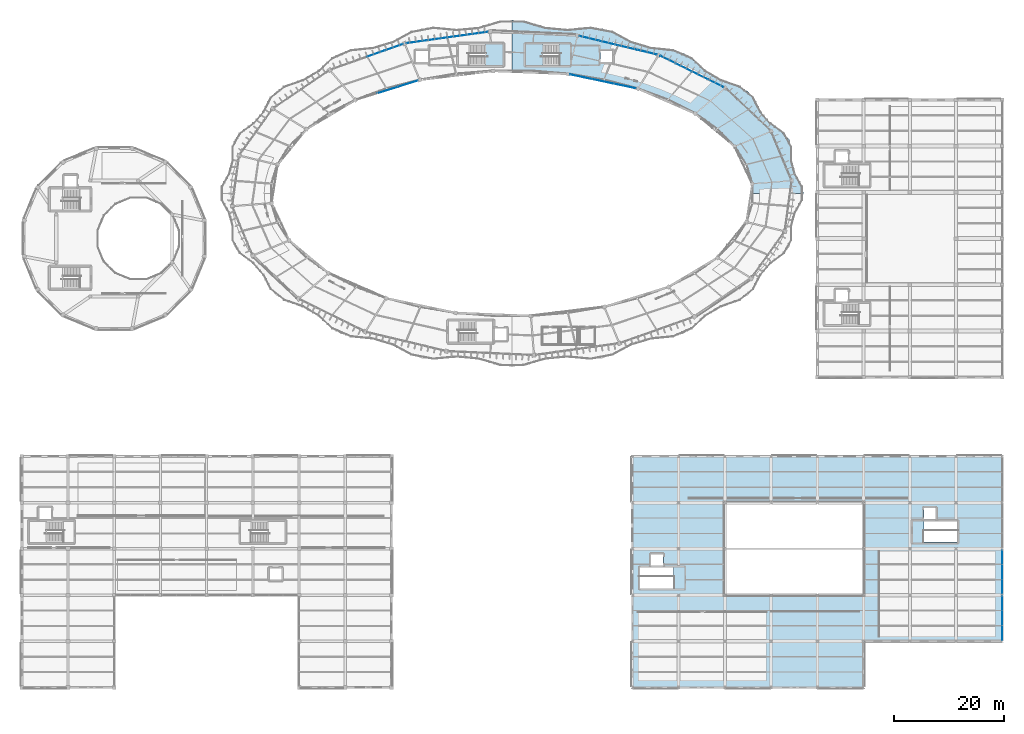
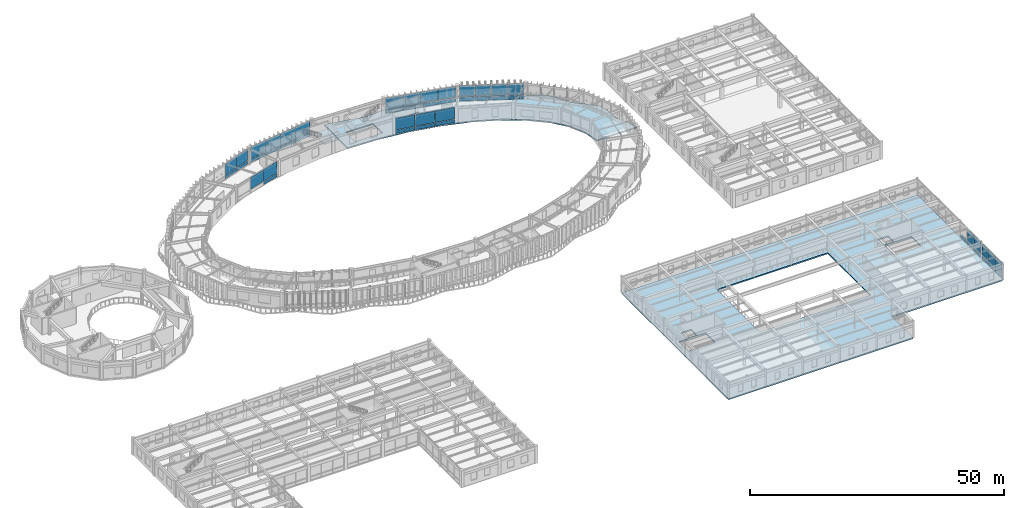
# One storey, part 106 of 138: 48 plates, 4 slabs, 10 elements without a shape of their own.
"""IFC4 building model written with IfcOpenShell, lengths in metres."""

from ifc_helpers import new_model, si_unit, direction, frame, origin, origin_2d, place, context, subcontext, project, spatial, polyline, rectangle, outline, extrude, material, layer, layer_set, type_object, element, aggregate, save


model = new_model("IFC4")

# Units and contexts
model_context = context("Model", 3, precision=1e-05, world=origin(), true_north=direction((0.0, 1.0)))
body_context = subcontext(model_context, "Body", "Model", "MODEL_VIEW")
ifc_project = project(units=[si_unit("LENGTHUNIT", "METRE"), si_unit("AREAUNIT", "SQUARE_METRE"), si_unit("VOLUMEUNIT", "CUBIC_METRE"), si_unit("PLANEANGLEUNIT", "RADIAN"), si_unit("MASSUNIT", "GRAM", prefix="KILO"), si_unit("THERMODYNAMICTEMPERATUREUNIT", "KELVIN"), si_unit("POWERUNIT", "WATT")], contexts=[model_context])

# Site, building, storey
site_placement = place(None, origin())
site = spatial("IfcSite", under=ifc_project, at=site_placement, CompositionType="ELEMENT")
building_placement = place(site_placement, origin())
building = spatial("IfcBuilding", under=site, at=building_placement, Name="Darbajah Civic Hall", CompositionType="ELEMENT")
storey_placement = place(building_placement, frame((0.0, 0.0, 9.60009765625)))
storey = spatial("IfcBuildingStorey", under=building, at=storey_placement, Name="L02", CompositionType="ELEMENT", Elevation=9.60009765625)

# Curtain wall, plates
ifc_material_1 = material(Name="Anodised Bronze Aluminium and Low-E Glazing", Category="aluminium")
curtain_wall_type_1 = type_object("IfcCurtainWallType", Name="Unitised Curtain Wall CW-20 12800x3900", PredefinedType="USERDEFINED", material=ifc_material_1)
curtain_wall_1_placement = place(storey_placement, origin())
curtain_wall_1 = element("IfcCurtainWall", 1, at=curtain_wall_1_placement, inside=storey, type_object=curtain_wall_type_1, Name="L02 unitised curtain wall CW-V1O-L02-02", ObjectType="UNITISED CURTAIN WALL", PredefinedType="USERDEFINED")
ifc_material_2 = material(Name="Low-E Solar Control Double Glazing", Category="glass")
ifc_layer_1 = layer(ifc_material_2, 0.02392578125, Name="Low-E Solar Control Double Glazing")
ifc_layer_set_1 = layer_set([ifc_layer_1], Name="Low-E Solar Control Double Glazing")
plate_type_1 = type_object("IfcPlateType", Name="Solar Double Glazing 24mm", PredefinedType="CURTAIN_PANEL", material=ifc_layer_set_1)
plate_1_placement = place(storey_placement, frame((126.12744140625, 109.824951171875, 0.10009765625), z_axis=(0.0, 0.0, 1.0), x_axis=(-0.89656374724, 0.442914717678, 0.0)))
plate_1 = element("IfcPlate", 2, at=plate_1_placement, type_object=plate_type_1, Name="CW-V1O-L02-02 glazed panel 1.1", PredefinedType="CURTAIN_PANEL", context=body_context, shape_type="SweptSolid", body=[
    extrude(rectangle(XDim=3.142333984375, YDim=0.02392578125, at=origin_2d()), origin(), (0.0, 0.0, 1.0), 0.800048828125),
])
plate_2_placement = place(storey_placement, frame((126.12744140625, 109.824951171875, 1.0), z_axis=(0.0, 0.0, 1.0), x_axis=(-0.89656374724, 0.442914717678, 0.0)))
plate_2 = element("IfcPlate", 3, at=plate_2_placement, type_object=plate_type_1, Name="CW-V1O-L02-02 glazed panel 1.2", PredefinedType="CURTAIN_PANEL", context=body_context, shape_type="SweptSolid", body=[
    extrude(rectangle(XDim=3.142333984375, YDim=0.02392578125, at=origin_2d()), origin(), (0.0, 0.0, 1.0), 2.820068359375),
])
plate_3_placement = place(storey_placement, frame((123.251708984375, 111.24560546875, 0.10009765625), z_axis=(0.0, 0.0, 1.0), x_axis=(-0.89656374724, 0.442914717678, 0.0)))
plate_3 = element("IfcPlate", 4, at=plate_3_placement, type_object=plate_type_1, Name="CW-V1O-L02-02 glazed panel 2.1", PredefinedType="CURTAIN_PANEL", context=body_context, shape_type="SweptSolid", body=[
    extrude(rectangle(XDim=3.142333984375, YDim=0.02392578125, at=origin_2d()), origin(), (0.0, 0.0, 1.0), 0.800048828125),
])
plate_4_placement = place(storey_placement, frame((123.251708984375, 111.24560546875, 1.0), z_axis=(0.0, 0.0, 1.0), x_axis=(-0.89656374724, 0.442914717678, 0.0)))
plate_4 = element("IfcPlate", 5, at=plate_4_placement, type_object=plate_type_1, Name="CW-V1O-L02-02 glazed panel 2.2", PredefinedType="CURTAIN_PANEL", context=body_context, shape_type="SweptSolid", body=[
    extrude(rectangle(XDim=3.142333984375, YDim=0.02392578125, at=origin_2d()), origin(), (0.0, 0.0, 1.0), 2.820068359375),
])
plate_5_placement = place(storey_placement, frame((120.376220703125, 112.666015625, 0.10009765625), z_axis=(0.0, 0.0, 1.0), x_axis=(-0.89656374724, 0.442914717678, 0.0)))
plate_5 = element("IfcPlate", 6, at=plate_5_placement, type_object=plate_type_1, Name="CW-V1O-L02-02 glazed panel 3.1", PredefinedType="CURTAIN_PANEL", context=body_context, shape_type="SweptSolid", body=[
    extrude(rectangle(XDim=3.142333984375, YDim=0.02392578125, at=origin_2d()), origin(), (0.0, 0.0, 1.0), 0.800048828125),
])
plate_6_placement = place(storey_placement, frame((120.376220703125, 112.666015625, 1.0), z_axis=(0.0, 0.0, 1.0), x_axis=(-0.89656374724, 0.442914717678, 0.0)))
plate_6 = element("IfcPlate", 7, at=plate_6_placement, type_object=plate_type_1, Name="CW-V1O-L02-02 glazed panel 3.2", PredefinedType="CURTAIN_PANEL", context=body_context, shape_type="SweptSolid", body=[
    extrude(rectangle(XDim=3.142333984375, YDim=0.02392578125, at=origin_2d()), origin(), (0.0, 0.0, 1.0), 2.820068359375),
])
plate_7_placement = place(storey_placement, frame((117.500732421875, 114.086669921875, 0.10009765625), z_axis=(0.0, 0.0, 1.0), x_axis=(-0.89656374724, 0.442914717678, 0.0)))
plate_7 = element("IfcPlate", 8, at=plate_7_placement, type_object=plate_type_1, Name="CW-V1O-L02-02 glazed panel 4.1", PredefinedType="CURTAIN_PANEL", context=body_context, shape_type="SweptSolid", body=[
    extrude(rectangle(XDim=3.142333984375, YDim=0.02392578125, at=origin_2d()), origin(), (0.0, 0.0, 1.0), 0.800048828125),
])
plate_8_placement = place(storey_placement, frame((117.500732421875, 114.086669921875, 1.0), z_axis=(0.0, 0.0, 1.0), x_axis=(-0.89656374724, 0.442914717678, 0.0)))
plate_8 = element("IfcPlate", 9, at=plate_8_placement, type_object=plate_type_1, Name="CW-V1O-L02-02 glazed panel 4.2", PredefinedType="CURTAIN_PANEL", context=body_context, shape_type="SweptSolid", body=[
    extrude(rectangle(XDim=3.142333984375, YDim=0.02392578125, at=origin_2d()), origin(), (0.0, 0.0, 1.0), 2.820068359375),
])
aggregate(curtain_wall_1, [plate_1, plate_2, plate_3, plate_4, plate_5, plate_6, plate_7, plate_8])

curtain_wall_type_2 = type_object("IfcCurtainWallType", Name="Unitised Curtain Wall CW-42 15000x3900", PredefinedType="USERDEFINED", material=ifc_material_1)
curtain_wall_2_placement = place(storey_placement, origin())
curtain_wall_2 = element("IfcCurtainWall", 10, at=curtain_wall_2_placement, inside=storey, type_object=curtain_wall_type_2, Name="L02 unitised curtain wall CW-V1O-L02-05", ObjectType="UNITISED CURTAIN WALL", PredefinedType="USERDEFINED")
plate_9_placement = place(storey_placement, frame((82.897705078125, 118.9033203125, 0.10009765625), z_axis=(0.0, 0.0, 1.0), x_axis=(-0.990485459553, -0.137617420457, 0.0)))
plate_9 = element("IfcPlate", 11, at=plate_9_placement, type_object=plate_type_1, Name="CW-V1O-L02-05 glazed panel 1.1", PredefinedType="CURTAIN_PANEL", context=body_context, shape_type="SweptSolid", body=[
    extrude(rectangle(XDim=3.675048828125, YDim=0.02392578125, at=origin_2d()), origin(), (0.0, 0.0, 1.0), 0.800048828125),
])
plate_10_placement = place(storey_placement, frame((82.897705078125, 118.9033203125, 1.0), z_axis=(0.0, 0.0, 1.0), x_axis=(-0.990485459553, -0.137617420457, 0.0)))
plate_10 = element("IfcPlate", 12, at=plate_10_placement, type_object=plate_type_1, Name="CW-V1O-L02-05 glazed panel 1.2", PredefinedType="CURTAIN_PANEL", context=body_context, shape_type="SweptSolid", body=[
    extrude(rectangle(XDim=3.675048828125, YDim=0.02392578125, at=origin_2d()), origin(), (0.0, 0.0, 1.0), 2.820068359375),
])
plate_11_placement = place(storey_placement, frame((79.193115234375, 118.388916015625, 0.10009765625), z_axis=(0.0, 0.0, 1.0), x_axis=(-0.990485459553, -0.137617420457, 0.0)))
plate_11 = element("IfcPlate", 13, at=plate_11_placement, type_object=plate_type_1, Name="CW-V1O-L02-05 glazed panel 2.1", PredefinedType="CURTAIN_PANEL", context=body_context, shape_type="SweptSolid", body=[
    extrude(rectangle(XDim=3.675048828125, YDim=0.02392578125, at=origin_2d()), origin(), (0.0, 0.0, 1.0), 0.800048828125),
])
plate_12_placement = place(storey_placement, frame((79.193115234375, 118.388916015625, 1.0), z_axis=(0.0, 0.0, 1.0), x_axis=(-0.990485459553, -0.137617420457, 0.0)))
plate_12 = element("IfcPlate", 14, at=plate_12_placement, type_object=plate_type_1, Name="CW-V1O-L02-05 glazed panel 2.2", PredefinedType="CURTAIN_PANEL", context=body_context, shape_type="SweptSolid", body=[
    extrude(rectangle(XDim=3.675048828125, YDim=0.02392578125, at=origin_2d()), origin(), (0.0, 0.0, 1.0), 2.820068359375),
])
plate_13_placement = place(storey_placement, frame((75.488525390625, 117.87451171875, 0.10009765625), z_axis=(0.0, 0.0, 1.0), x_axis=(-0.990485459553, -0.137617420457, 0.0)))
plate_13 = element("IfcPlate", 15, at=plate_13_placement, type_object=plate_type_1, Name="CW-V1O-L02-05 glazed panel 3.1", PredefinedType="CURTAIN_PANEL", context=body_context, shape_type="SweptSolid", body=[
    extrude(rectangle(XDim=3.675048828125, YDim=0.02392578125, at=origin_2d()), origin(), (0.0, 0.0, 1.0), 0.800048828125),
])
plate_14_placement = place(storey_placement, frame((75.488525390625, 117.87451171875, 1.0), z_axis=(0.0, 0.0, 1.0), x_axis=(-0.990485459553, -0.137617420457, 0.0)))
plate_14 = element("IfcPlate", 16, at=plate_14_placement, type_object=plate_type_1, Name="CW-V1O-L02-05 glazed panel 3.2", PredefinedType="CURTAIN_PANEL", context=body_context, shape_type="SweptSolid", body=[
    extrude(rectangle(XDim=3.675048828125, YDim=0.02392578125, at=origin_2d()), origin(), (0.0, 0.0, 1.0), 2.820068359375),
])
plate_15_placement = place(storey_placement, frame((71.7841796875, 117.360107421875, 0.10009765625), z_axis=(0.0, 0.0, 1.0), x_axis=(-0.990485459553, -0.137617420457, 0.0)))
plate_15 = element("IfcPlate", 17, at=plate_15_placement, type_object=plate_type_1, Name="CW-V1O-L02-05 glazed panel 4.1", PredefinedType="CURTAIN_PANEL", context=body_context, shape_type="SweptSolid", body=[
    extrude(rectangle(XDim=3.675048828125, YDim=0.02392578125, at=origin_2d()), origin(), (0.0, 0.0, 1.0), 0.800048828125),
])
plate_16_placement = place(storey_placement, frame((71.7841796875, 117.360107421875, 1.0), z_axis=(0.0, 0.0, 1.0), x_axis=(-0.990485459553, -0.137617420457, 0.0)))
plate_16 = element("IfcPlate", 18, at=plate_16_placement, type_object=plate_type_1, Name="CW-V1O-L02-05 glazed panel 4.2", PredefinedType="CURTAIN_PANEL", context=body_context, shape_type="SweptSolid", body=[
    extrude(rectangle(XDim=3.675048828125, YDim=0.02392578125, at=origin_2d()), origin(), (0.0, 0.0, 1.0), 2.820068359375),
])
aggregate(curtain_wall_2, [plate_9, plate_10, plate_11, plate_12, plate_13, plate_14, plate_15, plate_16])

curtain_wall_type_3 = type_object("IfcCurtainWallType", Name="Unitised Curtain Wall CW-41 12300x3900", PredefinedType="USERDEFINED", material=ifc_material_1)
curtain_wall_3_placement = place(storey_placement, origin())
curtain_wall_3 = element("IfcCurtainWall", 19, at=curtain_wall_3_placement, inside=storey, type_object=curtain_wall_type_3, Name="L02 unitised curtain wall CW-V1I-L02-03", ObjectType="UNITISED CURTAIN WALL", PredefinedType="USERDEFINED")
ifc_layer_2 = layer(ifc_material_2, 0.028076171875, Name="Low-E Solar Control Double Glazing")
ifc_layer_set_2 = layer_set([ifc_layer_2], Name="Low-E Solar Control Double Glazing")
plate_type_2 = type_object("IfcPlateType", Name="Solar Double Glazing 28mm", PredefinedType="CURTAIN_PANEL", material=ifc_layer_set_2)
plate_17_placement = place(storey_placement, frame((109.662109375, 109.3037109375, 0.119873046875), z_axis=(0.0, 0.0, 1.0), x_axis=(-0.978472980779, 0.206374964291, 0.0)))
plate_17 = element("IfcPlate", 20, at=plate_17_placement, type_object=plate_type_2, Name="CW-V1I-L02-03 glazed panel 1.1", PredefinedType="CURTAIN_PANEL", context=body_context, shape_type="SweptSolid", body=[
    extrude(rectangle(XDim=4.02490234375, YDim=0.028076171875, at=origin_2d()), origin(), (0.0, 0.0, 1.0), 0.77001953125),
])
plate_18_placement = place(storey_placement, frame((109.662109375, 109.3037109375, 1.009765625), z_axis=(0.0, 0.0, 1.0), x_axis=(-0.978472980779, 0.206374964291, 0.0)))
plate_18 = element("IfcPlate", 21, at=plate_18_placement, type_object=plate_type_2, Name="CW-V1I-L02-03 glazed panel 1.2", PredefinedType="CURTAIN_PANEL", context=body_context, shape_type="SweptSolid", body=[
    extrude(rectangle(XDim=4.02490234375, YDim=0.028076171875, at=origin_2d()), origin(), (0.0, 0.0, 1.0), 2.7900390625),
])
plate_19_placement = place(storey_placement, frame((105.6552734375, 110.148681640625, 0.119873046875), z_axis=(0.0, 0.0, 1.0), x_axis=(-0.978472980779, 0.206374964291, 0.0)))
plate_19 = element("IfcPlate", 22, at=plate_19_placement, type_object=plate_type_2, Name="CW-V1I-L02-03 glazed panel 2.1", PredefinedType="CURTAIN_PANEL", context=body_context, shape_type="SweptSolid", body=[
    extrude(rectangle(XDim=4.02490234375, YDim=0.028076171875, at=origin_2d()), origin(), (0.0, 0.0, 1.0), 0.77001953125),
])
plate_20_placement = place(storey_placement, frame((105.6552734375, 110.148681640625, 1.009765625), z_axis=(0.0, 0.0, 1.0), x_axis=(-0.978472980779, 0.206374964291, 0.0)))
plate_20 = element("IfcPlate", 23, at=plate_20_placement, type_object=plate_type_2, Name="CW-V1I-L02-03 glazed panel 2.2", PredefinedType="CURTAIN_PANEL", context=body_context, shape_type="SweptSolid", body=[
    extrude(rectangle(XDim=4.02490234375, YDim=0.028076171875, at=origin_2d()), origin(), (0.0, 0.0, 1.0), 2.7900390625),
])
plate_21_placement = place(storey_placement, frame((101.648193359375, 110.993896484375, 0.119873046875), z_axis=(0.0, 0.0, 1.0), x_axis=(-0.978472980779, 0.206374964291, 0.0)))
plate_21 = element("IfcPlate", 24, at=plate_21_placement, type_object=plate_type_2, Name="CW-V1I-L02-03 glazed panel 3.1", PredefinedType="CURTAIN_PANEL", context=body_context, shape_type="SweptSolid", body=[
    extrude(rectangle(XDim=4.02490234375, YDim=0.028076171875, at=origin_2d()), origin(), (0.0, 0.0, 1.0), 0.77001953125),
])
plate_22_placement = place(storey_placement, frame((101.648193359375, 110.993896484375, 1.009765625), z_axis=(0.0, 0.0, 1.0), x_axis=(-0.978472980779, 0.206374964291, 0.0)))
plate_22 = element("IfcPlate", 25, at=plate_22_placement, type_object=plate_type_2, Name="CW-V1I-L02-03 glazed panel 3.2", PredefinedType="CURTAIN_PANEL", context=body_context, shape_type="SweptSolid", body=[
    extrude(rectangle(XDim=4.02490234375, YDim=0.028076171875, at=origin_2d()), origin(), (0.0, 0.0, 1.0), 2.7900390625),
])
aggregate(curtain_wall_3, [plate_17, plate_18, plate_19, plate_20, plate_21, plate_22])

curtain_wall_type_4 = type_object("IfcCurtainWallType", Name="Unitised Curtain Wall CW-43 11600x3900", PredefinedType="USERDEFINED", material=ifc_material_1)
curtain_wall_4_placement = place(storey_placement, origin())
curtain_wall_4 = element("IfcCurtainWall", 26, at=curtain_wall_4_placement, inside=storey, type_object=curtain_wall_type_4, Name="L02 unitised curtain wall CW-V1I-L02-06", ObjectType="UNITISED CURTAIN WALL", PredefinedType="USERDEFINED")
plate_23_placement = place(storey_placement, frame((70.18310546875, 109.72998046875, 0.119873046875), z_axis=(0.0, 0.0, 1.0), x_axis=(-0.954604963513, -0.297874744877, 0.0)))
plate_23 = element("IfcPlate", 27, at=plate_23_placement, type_object=plate_type_2, Name="CW-V1I-L02-06 glazed panel 1.1", PredefinedType="CURTAIN_PANEL", context=body_context, shape_type="SweptSolid", body=[
    extrude(rectangle(XDim=3.7919921875, YDim=0.028076171875, at=origin_2d()), origin(), (0.0, 0.0, 1.0), 0.77001953125),
])
plate_24_placement = place(storey_placement, frame((70.18310546875, 109.72998046875, 1.009765625), z_axis=(0.0, 0.0, 1.0), x_axis=(-0.954604963513, -0.297874744877, 0.0)))
plate_24 = element("IfcPlate", 28, at=plate_24_placement, type_object=plate_type_2, Name="CW-V1I-L02-06 glazed panel 1.2", PredefinedType="CURTAIN_PANEL", context=body_context, shape_type="SweptSolid", body=[
    extrude(rectangle(XDim=3.7919921875, YDim=0.028076171875, at=origin_2d()), origin(), (0.0, 0.0, 1.0), 2.7900390625),
])
plate_25_placement = place(storey_placement, frame((66.496337890625, 108.579833984375, 1.009765625), z_axis=(0.0, 0.0, 1.0), x_axis=(-0.954604963513, -0.297874744877, 0.0)))
plate_25 = element("IfcPlate", 29, at=plate_25_placement, type_object=plate_type_2, Name="CW-V1I-L02-06 glazed panel 2.2", PredefinedType="CURTAIN_PANEL", context=body_context, shape_type="SweptSolid", body=[
    extrude(rectangle(XDim=3.7919921875, YDim=0.028076171875, at=origin_2d()), origin(), (0.0, 0.0, 1.0), 2.7900390625),
])
aggregate(curtain_wall_4, [plate_23, plate_24, plate_25])

curtain_wall_type_5 = type_object("IfcCurtainWallType", Name="Unitised Curtain Wall CW-40 14500x3900", PredefinedType="USERDEFINED", material=ifc_material_1)
curtain_wall_5_placement = place(storey_placement, origin())
curtain_wall_5 = element("IfcCurtainWall", 30, at=curtain_wall_5_placement, inside=storey, type_object=curtain_wall_type_5, Name="L02 unitised curtain wall CW-V1O-L02-03", ObjectType="UNITISED CURTAIN WALL", PredefinedType="USERDEFINED")
ifc_layer_3 = layer(ifc_material_2, 0.031982421875, Name="Low-E Solar Control Double Glazing")
ifc_layer_set_3 = layer_set([ifc_layer_3], Name="Low-E Solar Control Double Glazing")
plate_type_3 = type_object("IfcPlateType", Name="Solar Double Glazing 32mm", PredefinedType="CURTAIN_PANEL", material=ifc_layer_set_3)
plate_26_placement = place(storey_placement, frame((113.64794921875, 115.455810546875, 0.14013671875), z_axis=(0.0, 0.0, 1.0), x_axis=(-0.972492018808, 0.232936200179, 0.0)))
plate_26 = element("IfcPlate", 31, at=plate_26_placement, type_object=plate_type_3, Name="CW-V1O-L02-03 glazed panel 1.1", PredefinedType="CURTAIN_PANEL", context=body_context, shape_type="SweptSolid", body=[
    extrude(rectangle(XDim=3.538818359375, YDim=0.031982421875, at=origin_2d()), origin(), (0.0, 0.0, 1.0), 0.739990234375),
])
plate_27_placement = place(storey_placement, frame((113.64794921875, 115.455810546875, 1.02001953125), z_axis=(0.0, 0.0, 1.0), x_axis=(-0.972492018808, 0.232936200179, 0.0)))
plate_27 = element("IfcPlate", 32, at=plate_27_placement, type_object=plate_type_3, Name="CW-V1O-L02-03 glazed panel 1.2", PredefinedType="CURTAIN_PANEL", context=body_context, shape_type="SweptSolid", body=[
    extrude(rectangle(XDim=3.538818359375, YDim=0.031982421875, at=origin_2d()), origin(), (0.0, 0.0, 1.0), 2.760009765625),
])
plate_28_placement = place(storey_placement, frame((110.1337890625, 116.2978515625, 0.14013671875), z_axis=(0.0, 0.0, 1.0), x_axis=(-0.972492018808, 0.232936200179, 0.0)))
plate_28 = element("IfcPlate", 33, at=plate_28_placement, type_object=plate_type_3, Name="CW-V1O-L02-03 glazed panel 2.1", PredefinedType="CURTAIN_PANEL", context=body_context, shape_type="SweptSolid", body=[
    extrude(rectangle(XDim=3.538818359375, YDim=0.031982421875, at=origin_2d()), origin(), (0.0, 0.0, 1.0), 0.739990234375),
])
plate_29_placement = place(storey_placement, frame((110.1337890625, 116.2978515625, 1.02001953125), z_axis=(0.0, 0.0, 1.0), x_axis=(-0.972492018808, 0.232936200179, 0.0)))
plate_29 = element("IfcPlate", 34, at=plate_29_placement, type_object=plate_type_3, Name="CW-V1O-L02-03 glazed panel 2.2", PredefinedType="CURTAIN_PANEL", context=body_context, shape_type="SweptSolid", body=[
    extrude(rectangle(XDim=3.538818359375, YDim=0.031982421875, at=origin_2d()), origin(), (0.0, 0.0, 1.0), 2.760009765625),
])
plate_30_placement = place(storey_placement, frame((106.619384765625, 117.139892578125, 0.14013671875), z_axis=(0.0, 0.0, 1.0), x_axis=(-0.972492018808, 0.232936200179, 0.0)))
plate_30 = element("IfcPlate", 35, at=plate_30_placement, type_object=plate_type_3, Name="CW-V1O-L02-03 glazed panel 3.1", PredefinedType="CURTAIN_PANEL", context=body_context, shape_type="SweptSolid", body=[
    extrude(rectangle(XDim=3.538818359375, YDim=0.031982421875, at=origin_2d()), origin(), (0.0, 0.0, 1.0), 0.739990234375),
])
plate_31_placement = place(storey_placement, frame((106.619384765625, 117.139892578125, 1.02001953125), z_axis=(0.0, 0.0, 1.0), x_axis=(-0.972492018808, 0.232936200179, 0.0)))
plate_31 = element("IfcPlate", 36, at=plate_31_placement, type_object=plate_type_3, Name="CW-V1O-L02-03 glazed panel 3.2", PredefinedType="CURTAIN_PANEL", context=body_context, shape_type="SweptSolid", body=[
    extrude(rectangle(XDim=3.538818359375, YDim=0.031982421875, at=origin_2d()), origin(), (0.0, 0.0, 1.0), 2.760009765625),
])
plate_32_placement = place(storey_placement, frame((103.105224609375, 117.98193359375, 0.14013671875), z_axis=(0.0, 0.0, 1.0), x_axis=(-0.972492018808, 0.232936200179, 0.0)))
plate_32 = element("IfcPlate", 37, at=plate_32_placement, type_object=plate_type_3, Name="CW-V1O-L02-03 glazed panel 4.1", PredefinedType="CURTAIN_PANEL", context=body_context, shape_type="SweptSolid", body=[
    extrude(rectangle(XDim=3.538818359375, YDim=0.031982421875, at=origin_2d()), origin(), (0.0, 0.0, 1.0), 0.739990234375),
])
plate_33_placement = place(storey_placement, frame((103.105224609375, 117.98193359375, 1.02001953125), z_axis=(0.0, 0.0, 1.0), x_axis=(-0.972492018808, 0.232936200179, 0.0)))
plate_33 = element("IfcPlate", 38, at=plate_33_placement, type_object=plate_type_3, Name="CW-V1O-L02-03 glazed panel 4.2", PredefinedType="CURTAIN_PANEL", context=body_context, shape_type="SweptSolid", body=[
    extrude(rectangle(XDim=3.538818359375, YDim=0.031982421875, at=origin_2d()), origin(), (0.0, 0.0, 1.0), 2.760009765625),
])
aggregate(curtain_wall_5, [plate_26, plate_27, plate_28, plate_29, plate_30, plate_31, plate_32, plate_33])

curtain_wall_type_6 = type_object("IfcCurtainWallType", Name="Unitised Curtain Wall CW-24 13700x3900", PredefinedType="USERDEFINED", material=ifc_material_1)
curtain_wall_6_placement = place(storey_placement, origin())
curtain_wall_6 = element("IfcCurtainWall", 39, at=curtain_wall_6_placement, inside=storey, type_object=curtain_wall_type_6, Name="L02 unitised curtain wall CW-V1O-L02-06", ObjectType="UNITISED CURTAIN WALL", PredefinedType="USERDEFINED")
plate_34_placement = place(storey_placement, frame((67.633544921875, 116.36328125, 0.14013671875), z_axis=(0.0, 0.0, 1.0), x_axis=(-0.94252491309, -0.334135882844, 0.0)))
plate_34 = element("IfcPlate", 40, at=plate_34_placement, type_object=plate_type_3, Name="CW-V1O-L02-06 glazed panel 1.1", PredefinedType="CURTAIN_PANEL", context=body_context, shape_type="SweptSolid", body=[
    extrude(rectangle(XDim=3.357666015625, YDim=0.031982421875, at=origin_2d()), origin(), (0.0, 0.0, 1.0), 0.739990234375),
])
plate_35_placement = place(storey_placement, frame((67.633544921875, 116.36328125, 1.02001953125), z_axis=(0.0, 0.0, 1.0), x_axis=(-0.94252491309, -0.334135882844, 0.0)))
plate_35 = element("IfcPlate", 41, at=plate_35_placement, type_object=plate_type_3, Name="CW-V1O-L02-06 glazed panel 1.2", PredefinedType="CURTAIN_PANEL", context=body_context, shape_type="SweptSolid", body=[
    extrude(rectangle(XDim=3.357666015625, YDim=0.031982421875, at=origin_2d()), origin(), (0.0, 0.0, 1.0), 2.760009765625),
])
plate_36_placement = place(storey_placement, frame((64.398193359375, 115.216552734375, 0.14013671875), z_axis=(0.0, 0.0, 1.0), x_axis=(-0.94252491309, -0.334135882844, 0.0)))
plate_36 = element("IfcPlate", 42, at=plate_36_placement, type_object=plate_type_3, Name="CW-V1O-L02-06 glazed panel 2.1", PredefinedType="CURTAIN_PANEL", context=body_context, shape_type="SweptSolid", body=[
    extrude(rectangle(XDim=3.357666015625, YDim=0.031982421875, at=origin_2d()), origin(), (0.0, 0.0, 1.0), 0.739990234375),
])
plate_37_placement = place(storey_placement, frame((64.398193359375, 115.216552734375, 1.02001953125), z_axis=(0.0, 0.0, 1.0), x_axis=(-0.94252491309, -0.334135882844, 0.0)))
plate_37 = element("IfcPlate", 43, at=plate_37_placement, type_object=plate_type_3, Name="CW-V1O-L02-06 glazed panel 2.2", PredefinedType="CURTAIN_PANEL", context=body_context, shape_type="SweptSolid", body=[
    extrude(rectangle(XDim=3.357666015625, YDim=0.031982421875, at=origin_2d()), origin(), (0.0, 0.0, 1.0), 2.760009765625),
])
aggregate(curtain_wall_6, [plate_34, plate_35, plate_36, plate_37])

curtain_wall_type_7 = type_object("IfcCurtainWallType", Name="Unitised Curtain Wall CW-94 8000x3900", PredefinedType="USERDEFINED", material=ifc_material_1)
curtain_wall_7_placement = place(storey_placement, origin())
curtain_wall_7 = element("IfcCurtainWall", 44, at=curtain_wall_7_placement, inside=storey, type_object=curtain_wall_type_7, Name="L02 unitised curtain wall CW-V3-L02-S3-B0", ObjectType="UNITISED CURTAIN WALL", PredefinedType="USERDEFINED")
plate_38_placement = place(storey_placement, frame((178.199951171875, 9.925537109375, 0.119873046875), z_axis=(0.0, 0.0, 1.0), x_axis=(0.0, 1.0, 0.0)))
plate_38 = element("IfcPlate", 45, at=plate_38_placement, type_object=plate_type_3, Name="CW-V3-L02-S3-B0 glazed panel 1.1", PredefinedType="CURTAIN_PANEL", context=body_context, shape_type="SweptSolid", body=[
    extrude(rectangle(XDim=2.6044921875, YDim=0.031982421875, at=origin_2d()), origin(), (0.0, 0.0, 1.0), 0.77001953125),
])
plate_39_placement = place(storey_placement, frame((178.199951171875, 9.925537109375, 1.009765625), z_axis=(0.0, 0.0, 1.0), x_axis=(0.0, 1.0, 0.0)))
plate_39 = element("IfcPlate", 46, at=plate_39_placement, type_object=plate_type_3, Name="CW-V3-L02-S3-B0 glazed panel 1.2", PredefinedType="CURTAIN_PANEL", context=body_context, shape_type="SweptSolid", body=[
    extrude(rectangle(XDim=2.6044921875, YDim=0.031982421875, at=origin_2d()), origin(), (0.0, 0.0, 1.0), 2.7900390625),
])
plate_40_placement = place(storey_placement, frame((178.199951171875, 12.60009765625, 0.119873046875), z_axis=(0.0, 0.0, 1.0), x_axis=(0.0, 1.0, 0.0)))
plate_40 = element("IfcPlate", 47, at=plate_40_placement, type_object=plate_type_3, Name="CW-V3-L02-S3-B0 glazed panel 2.1", PredefinedType="CURTAIN_PANEL", context=body_context, shape_type="SweptSolid", body=[
    extrude(rectangle(XDim=2.6044921875, YDim=0.031982421875, at=origin_2d()), origin(), (0.0, 0.0, 1.0), 0.77001953125),
])
plate_41_placement = place(storey_placement, frame((178.199951171875, 12.60009765625, 1.009765625), z_axis=(0.0, 0.0, 1.0), x_axis=(0.0, 1.0, 0.0)))
plate_41 = element("IfcPlate", 48, at=plate_41_placement, type_object=plate_type_3, Name="CW-V3-L02-S3-B0 glazed panel 2.2", PredefinedType="CURTAIN_PANEL", context=body_context, shape_type="SweptSolid", body=[
    extrude(rectangle(XDim=2.6044921875, YDim=0.031982421875, at=origin_2d()), origin(), (0.0, 0.0, 1.0), 2.7900390625),
])
plate_42_placement = place(storey_placement, frame((178.199951171875, 15.2744140625, 0.119873046875), z_axis=(0.0, 0.0, 1.0), x_axis=(0.0, 1.0, 0.0)))
plate_42 = element("IfcPlate", 49, at=plate_42_placement, type_object=plate_type_3, Name="CW-V3-L02-S3-B0 glazed panel 3.1", PredefinedType="CURTAIN_PANEL", context=body_context, shape_type="SweptSolid", body=[
    extrude(rectangle(XDim=2.6044921875, YDim=0.031982421875, at=origin_2d()), origin(), (0.0, 0.0, 1.0), 0.77001953125),
])
plate_43_placement = place(storey_placement, frame((178.199951171875, 15.2744140625, 1.009765625), z_axis=(0.0, 0.0, 1.0), x_axis=(0.0, 1.0, 0.0)))
plate_43 = element("IfcPlate", 50, at=plate_43_placement, type_object=plate_type_3, Name="CW-V3-L02-S3-B0 glazed panel 3.2", PredefinedType="CURTAIN_PANEL", context=body_context, shape_type="SweptSolid", body=[
    extrude(rectangle(XDim=2.6044921875, YDim=0.031982421875, at=origin_2d()), origin(), (0.0, 0.0, 1.0), 2.7900390625),
])
aggregate(curtain_wall_7, [plate_38, plate_39, plate_40, plate_41, plate_42, plate_43])

curtain_wall_8_placement = place(storey_placement, origin())
curtain_wall_8 = element("IfcCurtainWall", 51, at=curtain_wall_8_placement, inside=storey, type_object=curtain_wall_type_7, Name="L02 unitised curtain wall CW-V3-L02-S3-B1", ObjectType="UNITISED CURTAIN WALL", PredefinedType="USERDEFINED")
plate_44_placement = place(storey_placement, frame((178.199951171875, 18.325439453125, 0.119873046875), z_axis=(0.0, 0.0, 1.0), x_axis=(0.0, 1.0, 0.0)))
plate_44 = element("IfcPlate", 52, at=plate_44_placement, type_object=plate_type_3, Name="CW-V3-L02-S3-B1 glazed panel 1.1", PredefinedType="CURTAIN_PANEL", context=body_context, shape_type="SweptSolid", body=[
    extrude(rectangle(XDim=2.6044921875, YDim=0.031982421875, at=origin_2d()), origin(), (0.0, 0.0, 1.0), 0.77001953125),
])
plate_45_placement = place(storey_placement, frame((178.199951171875, 18.325439453125, 1.009765625), z_axis=(0.0, 0.0, 1.0), x_axis=(0.0, 1.0, 0.0)))
plate_45 = element("IfcPlate", 53, at=plate_45_placement, type_object=plate_type_3, Name="CW-V3-L02-S3-B1 glazed panel 1.2", PredefinedType="CURTAIN_PANEL", context=body_context, shape_type="SweptSolid", body=[
    extrude(rectangle(XDim=2.6044921875, YDim=0.031982421875, at=origin_2d()), origin(), (0.0, 0.0, 1.0), 2.7900390625),
])
plate_46_placement = place(storey_placement, frame((178.199951171875, 21.0, 0.119873046875), z_axis=(0.0, 0.0, 1.0), x_axis=(0.0, 1.0, 0.0)))
plate_46 = element("IfcPlate", 54, at=plate_46_placement, type_object=plate_type_3, Name="CW-V3-L02-S3-B1 glazed panel 2.1", PredefinedType="CURTAIN_PANEL", context=body_context, shape_type="SweptSolid", body=[
    extrude(rectangle(XDim=2.6044921875, YDim=0.031982421875, at=origin_2d()), origin(), (0.0, 0.0, 1.0), 0.77001953125),
])
plate_47_placement = place(storey_placement, frame((178.199951171875, 21.0, 1.009765625), z_axis=(0.0, 0.0, 1.0), x_axis=(0.0, 1.0, 0.0)))
plate_47 = element("IfcPlate", 55, at=plate_47_placement, type_object=plate_type_3, Name="CW-V3-L02-S3-B1 glazed panel 2.2", PredefinedType="CURTAIN_PANEL", context=body_context, shape_type="SweptSolid", body=[
    extrude(rectangle(XDim=2.6044921875, YDim=0.031982421875, at=origin_2d()), origin(), (0.0, 0.0, 1.0), 2.7900390625),
])
plate_48_placement = place(storey_placement, frame((178.199951171875, 23.674560546875, 0.119873046875), z_axis=(0.0, 0.0, 1.0), x_axis=(0.0, 1.0, 0.0)))
plate_48 = element("IfcPlate", 56, at=plate_48_placement, type_object=plate_type_3, Name="CW-V3-L02-S3-B1 glazed panel 3.1", PredefinedType="CURTAIN_PANEL", context=body_context, shape_type="SweptSolid", body=[
    extrude(rectangle(XDim=2.6044921875, YDim=0.031982421875, at=origin_2d()), origin(), (0.0, 0.0, 1.0), 0.77001953125),
])
aggregate(curtain_wall_8, [plate_44, plate_45, plate_46, plate_47, plate_48])

# Stair, slab
ifc_material_3 = material(Name="Concrete C45/55", Category="concrete")
stair_type = type_object("IfcStairType", Name="Half Turn Stair 1650x4200", PredefinedType="HALF_TURN_STAIR", material=ifc_material_3)
stair_1_placement = place(storey_placement, origin())
stair_1 = element("IfcStair", 57, at=stair_1_placement, inside=storey, type_object=stair_type, Name="L02 enclosed exit stair ST01", PredefinedType="HALF_TURN_STAIR")
ifc_layer_4 = layer(ifc_material_3, 0.199951171875, Name="Concrete C45/55")
ifc_layer_set_4 = layer_set([ifc_layer_4], Name="Concrete C45/55")
slab_type_1 = type_object("IfcSlabType", Name="Stair Landing Slab 200mm", PredefinedType="LANDING", material=ifc_layer_set_4)
slab_1_placement = place(storey_placement, frame((0.0, 0.0, 1.89990234375)))
slab_1 = element("IfcSlab", 58, at=slab_1_placement, type_object=slab_type_1, Name="ST01 L02 half-landing", PredefinedType="LANDING", context=body_context, shape_type="SweptSolid", body=[
    extrude(outline(polyline([(84.239990234375, 112.89990234375), (87.60009765625, 112.89990234375), (87.60009765625, 117.10009765625), (84.239990234375, 117.10009765625), (84.239990234375, 112.89990234375)])), origin(), (0.0, 0.0, 1.0), 0.199951171875),
])
aggregate(stair_1, [slab_1])

stair_2_placement = place(storey_placement, origin())
stair_2 = element("IfcStair", 59, at=stair_2_placement, inside=storey, type_object=stair_type, Name="L02 enclosed exit stair ST02", PredefinedType="HALF_TURN_STAIR")
slab_2_placement = place(storey_placement, frame((0.0, 0.0, 1.89990234375)))
slab_2 = element("IfcSlab", 60, at=slab_2_placement, type_object=slab_type_1, Name="ST02 L02 half-landing", PredefinedType="LANDING", context=body_context, shape_type="SweptSolid", body=[
    extrude(outline(polyline([(91.39990234375, 112.89990234375), (94.760009765625, 112.89990234375), (94.760009765625, 117.10009765625), (91.39990234375, 117.10009765625), (91.39990234375, 112.89990234375)])), origin(), (0.0, 0.0, 1.0), 0.199951171875),
])
aggregate(stair_2, [slab_2])

# Slabs
ifc_layer_5 = layer(ifc_material_3, 0.280029296875, Name="Concrete C45/55")
ifc_layer_set_5 = layer_set([ifc_layer_5], Name="Concrete C45/55")
slab_type_2 = type_object("IfcSlabType", Name="Structural Floor Slab 280mm", PredefinedType="FLOOR", material=ifc_layer_set_5)
slab_3_placement = place(storey_placement, frame((0.0, 0.0, -0.280029296875)))
element("IfcSlab", 61, at=slab_3_placement, inside=storey, type_object=slab_type_2, Name="L02 Oval Administration Ring NE floor slab", PredefinedType="FLOOR", context=body_context, shape_type="SweptSolid", body=[
    extrude(outline(polyline([(142.1220703125, 89.800048828125), (141.2587890625, 92.218017578125), (140.08251953125, 94.511474609375), (139.974365234375, 96.994873046875), (139.52685546875, 99.540771484375), (137.4375, 101.59423828125), (135.092041015625, 103.473388671875), (133.710205078125, 105.9033203125), (131.99560546875, 108.328125), (128.884521484375, 109.81591796875), (125.599365234375, 111.0966796875), (123.0791015625, 113.235595703125), (120.265380859375, 115.3017578125), (116.43701171875, 116.078369140625), (112.5341796875, 116.63525390625), (109.1220703125, 118.27392578125), (105.484619140625, 119.779296875), (101.31396484375, 119.768310546875), (97.1748046875, 119.547119140625), (93.205078125, 120.52490234375), (89.10009765625, 121.322021484375), (89.10009765625, 112.080078125), (95.94873046875, 111.8056640625), (102.62890625, 110.989501953125), (108.9755859375, 109.651611328125), (114.833251953125, 107.824951171875), (120.05712890625, 105.55419921875), (124.518798828125, 102.89599609375), (128.1083984375, 99.914794921875), (130.7373046875, 96.684814453125), (132.341064453125, 93.285400390625), (132.8798828125, 89.800048828125), (142.1220703125, 89.800048828125)]), holes=[polyline([(91.5400390625, 116.8798828125), (97.6201171875, 116.8798828125), (97.6201171875, 113.1201171875), (91.5400390625, 113.1201171875), (91.5400390625, 116.8798828125)]), polyline([(105.14990234375, 115.75), (107.35009765625, 115.75), (107.35009765625, 113.64990234375), (105.14990234375, 113.64990234375), (105.14990234375, 115.75)])]), origin(), (0.0, 0.0, 1.0), 0.280029296875),
])
ifc_layer_6 = layer(ifc_material_3, 0.300048828125, Name="Concrete C45/55")
ifc_layer_set_6 = layer_set([ifc_layer_6], Name="Concrete C45/55")
slab_type_3 = type_object("IfcSlabType", Name="Structural Floor Slab 300mm", PredefinedType="FLOOR", material=ifc_layer_set_6)
slab_4_placement = place(storey_placement, frame((0.0, 0.0, -0.300048828125)))
element("IfcSlab", 62, at=slab_4_placement, inside=storey, type_object=slab_type_3, Name="L02 Public Hall and Citizens Service floor slab", PredefinedType="FLOOR", context=body_context, shape_type="SweptSolid", body=[
    extrude(outline(polyline([(111.0, 0.0), (153.0, 0.0), (153.0, 8.39990234375), (178.199951171875, 8.39990234375), (178.199951171875, 42.0), (111.0, 42.0), (111.0, 0.0)]), holes=[polyline([(112.340087890625, 21.780029296875), (118.419921875, 21.780029296875), (118.419921875, 18.02001953125), (112.340087890625, 18.02001953125), (112.340087890625, 21.780029296875)]), polyline([(114.35009765625, 24.25), (116.550048828125, 24.25), (116.550048828125, 22.14990234375), (114.35009765625, 22.14990234375), (114.35009765625, 24.25)]), polyline([(163.97998046875, 30.179931640625), (170.06005859375, 30.179931640625), (170.06005859375, 26.419921875), (163.97998046875, 26.419921875), (163.97998046875, 30.179931640625)]), polyline([(163.949951171875, 32.64990234375), (166.14990234375, 32.64990234375), (166.14990234375, 30.550048828125), (163.949951171875, 30.550048828125), (163.949951171875, 32.64990234375)]), polyline([(127.800048828125, 33.60009765625), (153.0, 33.60009765625), (153.0, 16.800048828125), (127.800048828125, 16.800048828125), (127.800048828125, 33.60009765625)])]), origin(), (0.0, 0.0, 1.0), 0.300048828125),
])

save(model, "model.ifc")
